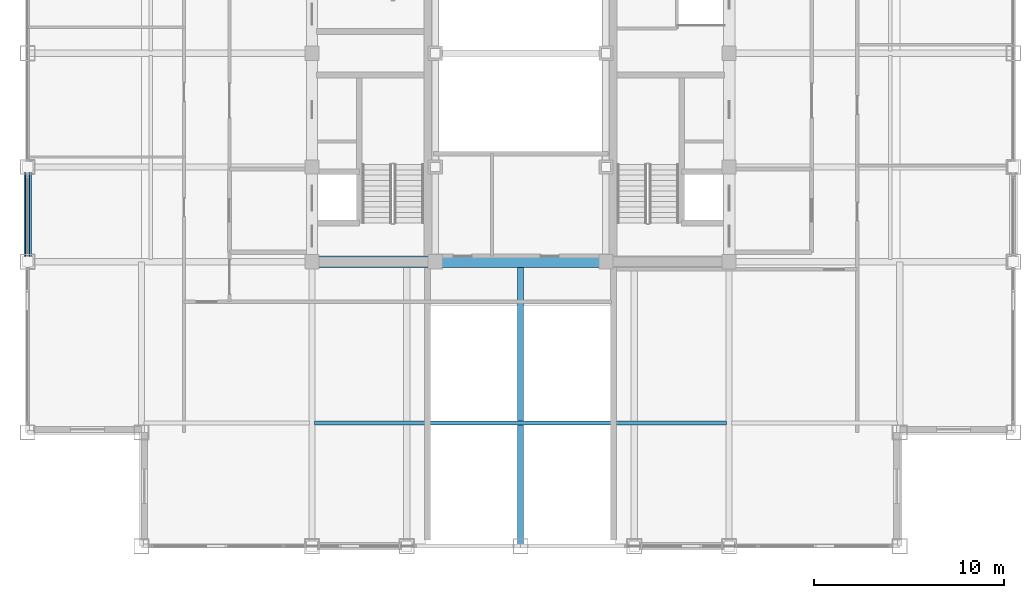
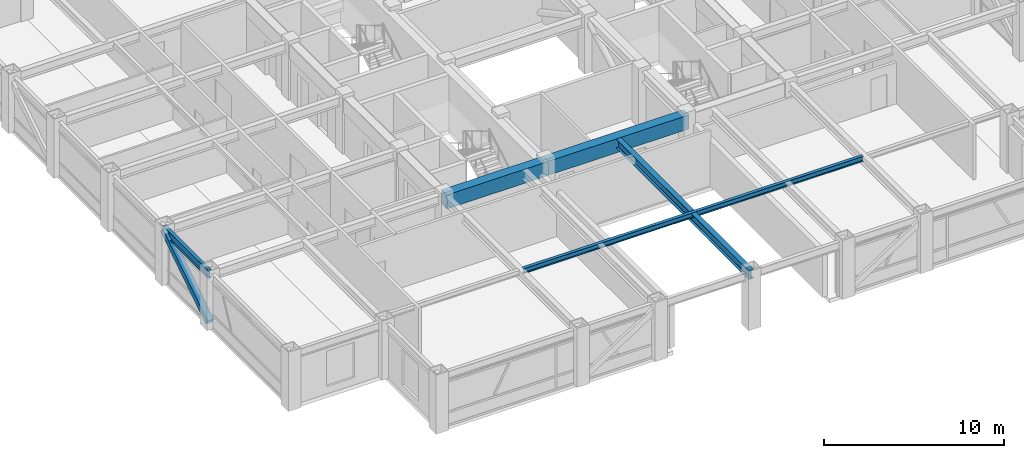
# One storey, part 6 of 29: 5 beams, 1 member.
"""IFC4 building model written with IfcOpenShell, lengths in metres."""

from ifc_helpers import new_model, si_unit, direction, frame, origin, origin_2d, place, context, subcontext, project, spatial, rectangle, hollow_rectangle, i_section, extrude, source, transform, mapped, material, material_profile, profile_set, type_object, element, save


model = new_model("IFC4")

# Units and contexts
model_context = context("Model", 3, precision=1e-05, world=origin(), true_north=direction((0.0, 1.0)))
body_context = subcontext(model_context, "Body", "Model", "MODEL_VIEW")
ifc_project = project(units=[si_unit("LENGTHUNIT", "METRE"), si_unit("AREAUNIT", "SQUARE_METRE"), si_unit("VOLUMEUNIT", "CUBIC_METRE"), si_unit("PLANEANGLEUNIT", "RADIAN"), si_unit("MASSUNIT", "GRAM", prefix="KILO")], contexts=[model_context])

# Site, building, storey
site_placement = place(None, origin())
site = spatial("IfcSite", under=ifc_project, at=site_placement, CompositionType="ELEMENT")
building_placement = place(site_placement, origin())
building = spatial("IfcBuilding", under=site, at=building_placement, Name="Khorayat Bourse Tower", CompositionType="ELEMENT")
storey_placement = place(building_placement, frame((0.0, 0.0, 354.300048828125)))
storey = spatial("IfcBuildingStorey", under=building, at=storey_placement, Name="L84", CompositionType="ELEMENT", Elevation=354.300048828125)

# Beams
ifc_material_1 = material(Name="Concrete C60/75", Category="concrete")
ifc_material_profile_1 = material_profile(ifc_material_1, rectangle(XDim=0.60009765625, YDim=0.949951171875, at=origin_2d()), Name="RC 600x950")
ifc_profile_set_1 = profile_set([ifc_material_profile_1], Name="Concrete C60/75")
beam_type_1 = type_object("IfcBeamType", Name="BM-COUP-950", PredefinedType="BEAM", material=ifc_profile_set_1)
shared_shape_1 = source(origin(), body_context, "Body", "SweptSolid", [
    extrude(rectangle(XDim=0.60009765625, YDim=0.949951171875, at=origin_2d()), origin(), (0.0, 0.0, 1.0), 6.5),
])
beam_1_placement = place(storey_placement, frame((-11.0, -11.0, 3.264892578125), z_axis=(1.0, 0.0, 0.0), x_axis=(0.0, 1.0, 0.0)))
element("IfcBeam", 1, at=beam_1_placement, inside=storey, type_object=beam_type_1, Name="L84 BM-COUP-950 BM-L84-CRY-17", PredefinedType="BEAM", context=body_context, shape_type="MappedRepresentation", body=[
    mapped(shared_shape_1, transform((0.0, 0.0, 0.0), scale=1.0)),
])
shared_shape_2 = source(origin(), body_context, "Body", "SweptSolid", [
    extrude(rectangle(XDim=0.60009765625, YDim=0.949951171875, at=origin_2d()), origin(), (0.0, 0.0, 1.0), 9.0),
])
beam_2_placement = place(storey_placement, frame((-4.5, -11.0, 3.264892578125), z_axis=(1.0, 0.0, 0.0), x_axis=(0.0, 1.0, 0.0)))
element("IfcBeam", 2, at=beam_2_placement, inside=storey, type_object=beam_type_1, Name="L84 BM-COUP-950 BM-L84-CRY-18", PredefinedType="BEAM", context=body_context, shape_type="MappedRepresentation", body=[
    mapped(shared_shape_2, transform((0.0, 0.0, 0.0), scale=1.0)),
])
ifc_material_2 = material(Name="Steel ASTM A992 Grade 50", Category="steel")
ifc_material_profile_2 = material_profile(ifc_material_2, i_section(OverallWidth=0.202880859375, OverallDepth=0.346923828125, WebThickness=0.0078125, FlangeThickness=0.013427734375, FilletRadius=0.010009765625, at=origin_2d()), Name="W360X64")
ifc_profile_set_2 = profile_set([ifc_material_profile_2], Name="Steel ASTM A992 Grade 50")
beam_type_2 = type_object("IfcBeamType", Name="BM-JOIST-360", PredefinedType="JOIST", material=ifc_profile_set_2)
shared_shape_3 = source(origin(), body_context, "Body", "SweptSolid", [
    extrude(i_section(OverallWidth=0.202880859375, OverallDepth=0.346923828125, WebThickness=0.0078125, FlangeThickness=0.013427734375, FilletRadius=0.010009765625, at=origin_2d()), origin(), (0.0, 0.0, 1.0), 21.740234375),
])
beam_3_placement = place(storey_placement, frame((-10.8701171875, -19.5, 3.56640625), z_axis=(1.0, 0.0, 0.0), x_axis=(0.0, 1.0, 0.0)))
element("IfcBeam", 3, at=beam_3_placement, inside=storey, type_object=beam_type_2, Name="L84 BM-JOIST-360 BM-L84-JSTX-081", PredefinedType="JOIST", context=body_context, shape_type="MappedRepresentation", body=[
    mapped(shared_shape_3, transform((0.0, 0.0, 0.0), scale=1.0)),
])
ifc_material_profile_3 = material_profile(ifc_material_2, i_section(OverallWidth=0.214111328125, OverallDepth=0.549072265625, WebThickness=0.0146484375, FlangeThickness=0.023681640625, FilletRadius=0.013916015625, at=origin_2d()), Name="W530X138")
ifc_profile_set_3 = profile_set([ifc_material_profile_3], Name="Steel ASTM A992 Grade 50")
beam_type_3 = type_object("IfcBeamType", Name="BM-SPAN-530", PredefinedType="SPANDREL", material=ifc_profile_set_3)
shared_shape_4 = source(origin(), body_context, "Body", "SweptSolid", [
    extrude(i_section(OverallWidth=0.214111328125, OverallDepth=0.549072265625, WebThickness=0.0146484375, FlangeThickness=0.023681640625, FilletRadius=0.013916015625, at=origin_2d()), origin(), (0.0, 0.0, 1.0), 5.0),
])
beam_4_placement = place(storey_placement, frame((-26.0, -11.0, 3.46533203125), z_axis=(0.0, 1.0, 0.0), x_axis=(-1.0, 0.0, 0.0)))
element("IfcBeam", 4, at=beam_4_placement, inside=storey, type_object=beam_type_3, Name="L84 BM-SPAN-530 BM-L84-SPN-052", PredefinedType="SPANDREL", context=body_context, shape_type="MappedRepresentation", body=[
    mapped(shared_shape_4, transform((0.0, 0.0, 0.0), scale=1.0)),
])
ifc_material_profile_4 = material_profile(ifc_material_2, i_section(OverallWidth=0.324951171875, OverallDepth=0.615966796875, WebThickness=0.013916015625, FlangeThickness=0.021484375, FilletRadius=0.01611328125, at=origin_2d()), Name="W610X174")
ifc_profile_set_4 = profile_set([ifc_material_profile_4], Name="Steel ASTM A992 Grade 50")
beam_type_4 = type_object("IfcBeamType", Name="BM-GIRD-610", PredefinedType="BEAM", material=ifc_profile_set_4)
shared_shape_5 = source(origin(), body_context, "Body", "SweptSolid", [
    extrude(i_section(OverallWidth=0.324951171875, OverallDepth=0.615966796875, WebThickness=0.013916015625, FlangeThickness=0.021484375, FilletRadius=0.01611328125, at=origin_2d()), origin(), (0.0, 0.0, 1.0), 15.0),
])
beam_5_placement = place(storey_placement, frame((0.0, -26.0, 3.431884765625), z_axis=(0.0, 1.0, 0.0), x_axis=(-1.0, 0.0, 0.0)))
element("IfcBeam", 5, at=beam_5_placement, inside=storey, type_object=beam_type_4, Name="L84 BM-GIRD-610 BM-L84-RADY-061", PredefinedType="BEAM", context=body_context, shape_type="MappedRepresentation", body=[
    mapped(shared_shape_5, transform((0.0, 0.0, 0.0), scale=1.0)),
])

# Member
ifc_material_3 = material(Name="Steel EN 10025-4 S460M", Category="steel")
ifc_material_profile_5 = material_profile(ifc_material_3, hollow_rectangle(XDim=0.39990234375, YDim=0.39990234375, WallThickness=0.02197265625, at=origin_2d()), Name="HSS 400x400x22")
ifc_profile_set_5 = profile_set([ifc_material_profile_5], Name="Steel EN 10025-4 S460M")
member_type = type_object("IfcMemberType", Name="MBR-TUBE-400", PredefinedType="BRACE", material=ifc_profile_set_5)
shared_shape_6 = source(origin(), body_context, "Body", "SweptSolid", [
    extrude(hollow_rectangle(XDim=0.39990234375, YDim=0.39990234375, WallThickness=0.02197265625, at=origin_2d()), origin(), (0.0, 0.0, 1.0), 5.9580078125),
])
member_placement = place(storey_placement, frame((-26.0, -11.0, 0.25), z_axis=(0.0, 0.839210474455, 0.543806748364), x_axis=(-1.0, 0.0, 0.0)))
element("IfcMember", 6, at=member_placement, inside=storey, type_object=member_type, Name="L84 Perimeter Tube Brace 05", PredefinedType="BRACE", context=body_context, shape_type="MappedRepresentation", body=[
    mapped(shared_shape_6, transform((0.0, 0.0, 0.0), scale=1.0)),
])

save(model, "model.ifc")
